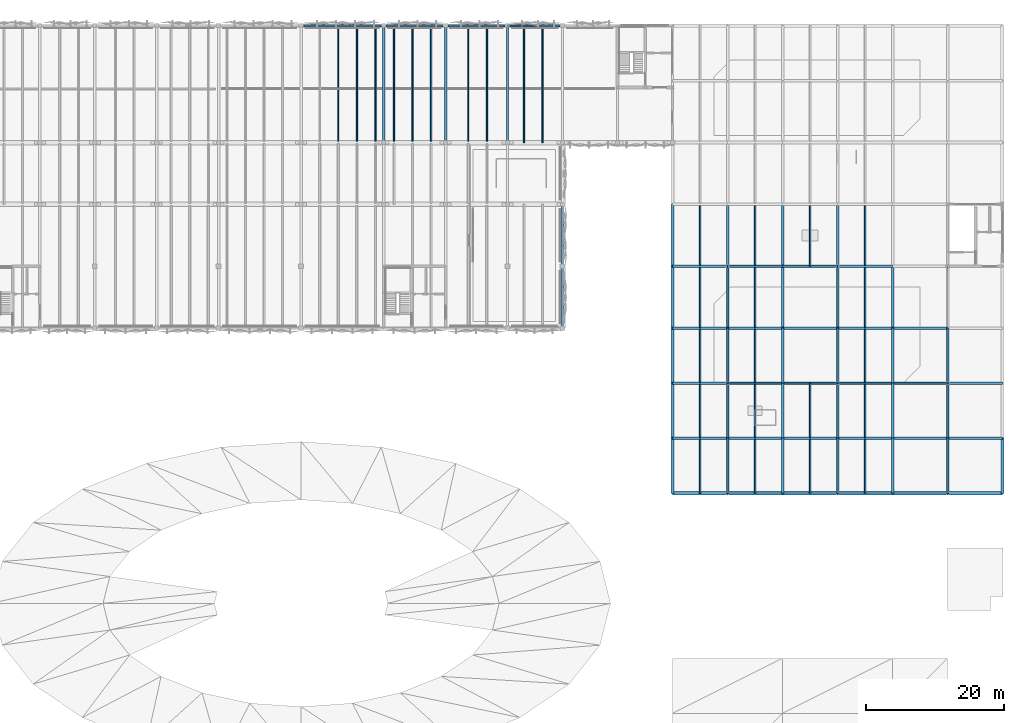
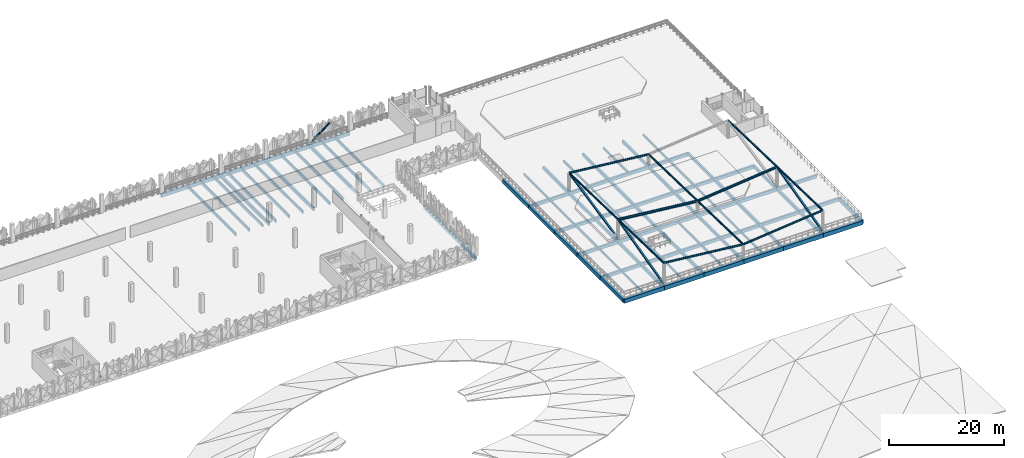
# One storey, part 14 of 52: 102 beams, 6 members.
"""IFC4 building model written with IfcOpenShell, lengths in metres."""

import ifcopenshell
import ifcopenshell.guid

model = None  # the IFC model being written
_history = None  # IfcOwnerHistory: only IFC2X3 demands one
_inside = {}  # id of a spatial element -> (the spatial element, [elements in it])
_under = {}  # id of a project, library or spatial element -> (it, [spatial elements below it])
_declared = {}  # id of a project -> (the project, [libraries it declares])
_typed = {}  # id of a type object -> (the type object, [elements of that type])
_made_of = {}  # id of a material, layer set ... -> (it, [elements and type objects made of it])


def new_model(schema):
    """Start an empty IFC model of exactly this schema.

    Asked for "IFC4X3", IfcOpenShell would pick the latest addendum, in which some entities
    have other attributes; the version numbers below select the first issue.
    IFC2X3 requires an IfcOwnerHistory on every rooted entity: one is made here for all.
    """
    global model, _history
    if schema == "IFC4X3":
        model = ifcopenshell.file(schema_version=(4, 3, 0, 0))
    else:
        model = ifcopenshell.file(schema=schema)
    _inside.clear()
    _under.clear()
    _declared.clear()
    _typed.clear()
    _made_of.clear()
    _history = None
    if model.schema == "IFC2X3":
        org = make("IfcOrganization", Name="unknown")
        user = make(
            "IfcPersonAndOrganization",
            ThePerson=make("IfcPerson", FamilyName="unknown"),
            TheOrganization=org,
        )
        app = make(
            "IfcApplication",
            ApplicationDeveloper=org,
            Version="unknown",
            ApplicationFullName="unknown",
            ApplicationIdentifier="unknown",
        )
        _history = make(
            "IfcOwnerHistory",
            OwningUser=user,
            OwningApplication=app,
            ChangeAction="ADDED",
            CreationDate=0,
        )
    return model


def make(cls, **values):
    """One entity of the class cls with the attributes given. An attribute that is None is left unset."""
    return model.create_entity(
        cls, **{name: value for name, value in values.items() if value is not None}
    )


def rooted(cls, **values):
    """An entity with a GlobalId (a new one), such as an element, a storey or a relation."""
    return make(cls, GlobalId=ifcopenshell.guid.new(), OwnerHistory=_history, **values)


def si_unit(unit_type, name, prefix=None):
    """IfcSIUnit, for example si_unit("LENGTHUNIT", "METRE", prefix="MILLI")."""
    return make("IfcSIUnit", UnitType=unit_type, Prefix=prefix, Name=name)


def derived_unit(unit_type, elements):
    """IfcDerivedUnit: a product of units, each with its exponent."""
    return make(
        "IfcDerivedUnit",
        Elements=[
            make("IfcDerivedUnitElement", Unit=unit, Exponent=power)
            for unit, power in elements
        ],
        UnitType=unit_type,
    )


def assignment(units):
    """IfcUnitAssignment: the units of a project."""
    return None if units is None else make("IfcUnitAssignment", Units=units)


def point(xyz):
    """IfcCartesianPoint."""
    return None if xyz is None else make("IfcCartesianPoint", Coordinates=xyz)


def direction(xyz):
    """IfcDirection."""
    return None if xyz is None else make("IfcDirection", DirectionRatios=xyz)


def frame(location, z_axis=None, x_axis=None):
    """IfcAxis2Placement3D, a coordinate frame: its origin and axes. An axis left out is left unset."""
    return make(
        "IfcAxis2Placement3D",
        Location=point(location),
        Axis=direction(z_axis),
        RefDirection=direction(x_axis),
    )


def frame_2d(location, x_axis=None):
    """IfcAxis2Placement2D, a coordinate frame in the plane: its origin and x axis."""
    return make(
        "IfcAxis2Placement2D", Location=point(location), RefDirection=direction(x_axis)
    )


def origin():
    """The frame at (0, 0, 0) with its axes left unset."""
    return frame((0.0, 0.0, 0.0))


def origin_2d():
    """The frame at (0, 0) in the plane with its x axis left unset."""
    return frame_2d((0.0, 0.0))


def place(relative_to, where):
    """IfcLocalPlacement: puts the frame where relative to a parent placement (None: the world)."""
    return make(
        "IfcLocalPlacement", PlacementRelTo=relative_to, RelativePlacement=where
    )


def context(
    kind, dimensions, precision=None, world=None, true_north=None, identifier=None
):
    """IfcGeometricRepresentationContext, for example the 3D "Model" context."""
    return make(
        "IfcGeometricRepresentationContext",
        ContextIdentifier=identifier,
        ContextType=kind,
        CoordinateSpaceDimension=dimensions,
        Precision=precision,
        WorldCoordinateSystem=world,
        TrueNorth=true_north,
    )


def subcontext(parent, identifier, kind, view, scale=None):
    """IfcGeometricRepresentationSubContext, for example "Body" below "Model"."""
    return make(
        "IfcGeometricRepresentationSubContext",
        ContextIdentifier=identifier,
        ContextType=kind,
        ParentContext=parent,
        TargetScale=scale,
        TargetView=view,
    )


def project(units=None, contexts=None):
    """IfcProject with its units and contexts."""
    return rooted(
        "IfcProject",
        Name="project",
        RepresentationContexts=contexts,
        UnitsInContext=assignment(units),
    )


def spatial(cls, under=None, at=None, **own):
    """A site, building, storey or space (cls), placed at a placement, below another one or the project."""
    s = rooted(cls, ObjectPlacement=at, **own)
    if under is not None:
        _under.setdefault(under.id(), (under, []))[1].append(s)
    return s


def profile(cls, at=None, kind="AREA", **sizes):
    """A parametric profile (cls). Its sizes go by their IFC names, for example OverallWidth=200.0."""
    return make(cls, ProfileType=kind, Position=at, **sizes)


def rectangle(**sizes):
    """IfcRectangleProfileDef."""
    return profile("IfcRectangleProfileDef", **sizes)


def hollow_rectangle(**sizes):
    """IfcRectangleHollowProfileDef."""
    return profile("IfcRectangleHollowProfileDef", **sizes)


def hollow_circle(**sizes):
    """IfcCircleHollowProfileDef."""
    return profile("IfcCircleHollowProfileDef", **sizes)


def i_section(**sizes):
    """IfcIShapeProfileDef."""
    return profile("IfcIShapeProfileDef", **sizes)


def extrude(swept, where, along, depth):
    """IfcExtrudedAreaSolid: the profile swept, set in the frame where, extruded along a direction by depth."""
    return make(
        "IfcExtrudedAreaSolid",
        SweptArea=swept,
        Position=where,
        ExtrudedDirection=direction(along),
        Depth=depth,
    )


def shape(context_of_items, identifier, shape_type, items):
    """IfcShapeRepresentation: the items that make up one representation, for example the "Body"."""
    return make(
        "IfcShapeRepresentation",
        ContextOfItems=context_of_items,
        RepresentationIdentifier=identifier,
        RepresentationType=shape_type,
        Items=items,
    )


def material(Name=None, Category=None):
    """IfcMaterial."""
    return make("IfcMaterial", Name=Name, Category=Category)


def material_profile(
    of_material, cross_section, Name=None, Category=None, Priority=None
):
    """IfcMaterialProfile: a cross section and its material."""
    return make(
        "IfcMaterialProfile",
        Name=Name,
        Material=of_material,
        Profile=cross_section,
        Priority=Priority,
        Category=Category,
    )


def profile_set(profiles, Name=None, composite=None):
    """IfcMaterialProfileSet."""
    return make(
        "IfcMaterialProfileSet",
        Name=Name,
        MaterialProfiles=profiles,
        CompositeProfile=composite,
    )


def made_of(thing, what):
    """Note that an element or type object is made of a material, layer set ...; save() writes the relation."""
    if what is not None:
        _made_of.setdefault(what.id(), (what, []))[1].append(thing)
    return thing


def type_object(cls, material=None, **own):
    """A type object (cls), such as IfcWallType, which elements share."""
    return made_of(rooted(cls, **own), material)


def element(
    cls,
    number,
    at=None,
    inside=None,
    cuts=None,
    type_object=None,
    material=None,
    context=None,
    identifier="Body",
    shape_type=None,
    held_by="IfcProductDefinitionShape",
    body=None,
    shapes=None,
    **own,
):
    """One element of the class cls, such as IfcWall. Its Tag is "e" and its number.

    at: its placement. inside: the storey or other place that contains it. cuts: it is an
    opening in that element (IfcRelVoidsElement). A single representation is given by context,
    identifier, shape_type and body (its items); several are given by shapes. held_by: the class
    of the entity that holds the representations. save() writes the other relations.
    """
    e = rooted(cls, Tag="e%d" % number, ObjectPlacement=at, **own)
    if body is not None:
        shapes = [shape(context, identifier, shape_type, body)]
    if shapes is not None:
        e.Representation = make(held_by, Representations=shapes)
    if inside is not None:
        _inside.setdefault(inside.id(), (inside, []))[1].append(e)
    if cuts is not None:
        rooted(
            "IfcRelVoidsElement", RelatingBuildingElement=cuts, RelatedOpeningElement=e
        )
    if type_object is not None:
        _typed.setdefault(type_object.id(), (type_object, []))[1].append(e)
    return made_of(e, material)


def aggregate(whole, parts):
    """IfcRelAggregates: a whole, such as a stair, and the parts it consists of."""
    return rooted("IfcRelAggregates", RelatingObject=whole, RelatedObjects=parts)


def save(model, path):
    """Write the relations noted so far, then the file.

    IfcRelAggregates (storeys below a building ...), IfcRelContainedInSpatialStructure (elements
    in a storey), IfcRelDefinesByType, IfcRelAssociatesMaterial and IfcRelDeclares: one each for
    every whole, place, type object, material and project.
    """
    for whole, parts in _under.values():
        aggregate(whole, parts)
    for where, things in _inside.values():
        rooted(
            "IfcRelContainedInSpatialStructure",
            RelatedElements=things,
            RelatingStructure=where,
        )
    for kind, things in _typed.values():
        rooted("IfcRelDefinesByType", RelatedObjects=things, RelatingType=kind)
    for what, things in _made_of.values():
        rooted("IfcRelAssociatesMaterial", RelatedObjects=things, RelatingMaterial=what)
    for by, libraries in _declared.values():
        rooted("IfcRelDeclares", RelatingContext=by, RelatedDefinitions=libraries)
    model.write(path)


model = new_model("IFC4")

# Units and contexts
model_context = context("Model", 3, precision=1e-05, world=origin(), true_north=direction((0.0, 1.0)))
body_context = subcontext(model_context, "Body", "Model", "MODEL_VIEW")
ifc_project = project(units=[si_unit("LENGTHUNIT", "METRE"), si_unit("AREAUNIT", "SQUARE_METRE"), si_unit("VOLUMEUNIT", "CUBIC_METRE"), si_unit("PLANEANGLEUNIT", "RADIAN"), si_unit("MASSUNIT", "GRAM", prefix="KILO"), si_unit("THERMODYNAMICTEMPERATUREUNIT", "KELVIN"), derived_unit("THERMALTRANSMITTANCEUNIT", [(si_unit("POWERUNIT", "WATT"), 1), (si_unit("AREAUNIT", "SQUARE_METRE"), -1), (si_unit("THERMODYNAMICTEMPERATUREUNIT", "KELVIN"), -1)])], contexts=[model_context])

# Site, building, storey
site_placement = place(None, origin())
site = spatial("IfcSite", under=ifc_project, at=site_placement, CompositionType="ELEMENT")
building_placement = place(site_placement, origin())
building = spatial("IfcBuilding", under=site, at=building_placement, Name="Haiyu Intermodal Mobility Hub", CompositionType="ELEMENT")
storey_placement = place(building_placement, frame((0.0, 0.0, 21.199951171875)))
storey = spatial("IfcBuildingStorey", under=building, at=storey_placement, Name="L05", CompositionType="ELEMENT", Elevation=21.199951171875)

# Beams
ifc_material_1 = material(Name="Concrete C40", Category="concrete")
ifc_material_profile_1 = material_profile(ifc_material_1, rectangle(XDim=0.35009765625, YDim=0.64990234375, at=origin_2d()), Name="RCB350x650")
ifc_profile_set_1 = profile_set([ifc_material_profile_1], Name="Concrete C40")
beam_type_1 = type_object("IfcBeamType", Name="BM-CB04", PredefinedType="BEAM", material=ifc_profile_set_1)
for number, where, z_axis, x_axis, name in (
    (1, (120.0, 131.0, -0.599853515625), (0.0, 1.0, 0.0), (-1.0, 0.0, 0.0), "BM-V4E-L05-032"),
    (2, (129.0, 131.0, -0.599853515625), (0.0, 1.0, 0.0), (-1.0, 0.0, 0.0), "BM-V4E-L05-035"),
    (3, (138.0, 131.0, -0.599853515625), (0.0, 1.0, 0.0), (-1.0, 0.0, 0.0), "BM-V4E-L05-038"),
):
    element("IfcBeam", number, at=place(storey_placement, frame(where, z_axis=z_axis, x_axis=x_axis)), inside=storey, type_object=beam_type_1, Name=name, PredefinedType="BEAM", context=body_context, shape_type="SweptSolid", body=[
        extrude(rectangle(XDim=0.35009765625, YDim=0.64990234375, at=origin_2d()), origin(), (0.0, 0.0, 1.0), 17.0),
    ])
beam_1_placement = place(storey_placement, frame((146.0, 104.0, -0.599853515625), z_axis=(0.0, 1.0, 0.0), x_axis=(-1.0, 0.0, 0.0)))
element("IfcBeam", 4, at=beam_1_placement, inside=storey, type_object=beam_type_1, Name="BM-V4E-L05-039", PredefinedType="BEAM", context=body_context, shape_type="SweptSolid", body=[
    extrude(rectangle(XDim=0.35009765625, YDim=0.64990234375, at=origin_2d()), origin(), (0.0, 0.0, 1.0), 18.0),
])
ifc_material_profile_2 = material_profile(ifc_material_1, rectangle(XDim=0.39990234375, YDim=0.800048828125, at=origin_2d()), Name="RCB400x800")
ifc_profile_set_2 = profile_set([ifc_material_profile_2], Name="Concrete C40")
beam_type_2 = type_object("IfcBeamType", Name="BM-CB05", PredefinedType="BEAM", material=ifc_profile_set_2)
for number, where, z_axis, x_axis, name in (
    (5, (162.0, 80.0, -0.699951171875), (0.0, 1.0, 0.0), (-1.0, 0.0, 0.0), "BM-V6T-L05-001"),
    (6, (162.0, 88.0, -0.699951171875), (0.0, 1.0, 0.0), (-1.0, 0.0, 0.0), "BM-V6T-L05-002"),
    (7, (162.0, 96.0, -0.699951171875), (0.0, 1.0, 0.0), (-1.0, 0.0, 0.0), "BM-V6T-L05-003"),
):
    element("IfcBeam", number, at=place(storey_placement, frame(where, z_axis=z_axis, x_axis=x_axis)), inside=storey, type_object=beam_type_2, Name=name, PredefinedType="BEAM", context=body_context, shape_type="SweptSolid", body=[
        extrude(rectangle(XDim=0.39990234375, YDim=0.800048828125, at=origin_2d()), origin(), (0.0, 0.0, 1.0), 8.0),
    ])
for number, where, z_axis, x_axis, name in (
    (8, (162.0, 104.0, -0.699951171875), (0.0, 1.0, 0.0), (-1.0, 0.0, 0.0), "BM-V6T-L05-004"),
    (9, (162.0, 113.0, -0.699951171875), (0.0, 1.0, 0.0), (-1.0, 0.0, 0.0), "BM-V6T-L05-005"),
):
    element("IfcBeam", number, at=place(storey_placement, frame(where, z_axis=z_axis, x_axis=x_axis)), inside=storey, type_object=beam_type_2, Name=name, PredefinedType="BEAM", context=body_context, shape_type="SweptSolid", body=[
        extrude(rectangle(XDim=0.39990234375, YDim=0.800048828125, at=origin_2d()), origin(), (0.0, 0.0, 1.0), 9.0),
    ])
beam_2_placement = place(storey_placement, frame((210.0, 80.0, -0.699951171875), z_axis=(0.0, 1.0, 0.0), x_axis=(-1.0, 0.0, 0.0)))
element("IfcBeam", 10, at=beam_2_placement, inside=storey, type_object=beam_type_2, Name="BM-V6T-L05-049", PredefinedType="BEAM", context=body_context, shape_type="SweptSolid", body=[
    extrude(rectangle(XDim=0.39990234375, YDim=0.800048828125, at=origin_2d()), origin(), (0.0, 0.0, 1.0), 8.0),
])
ifc_material_profile_3 = material_profile(ifc_material_1, rectangle(XDim=0.3798828125, YDim=0.679931640625, at=origin_2d()), Name="B380x680")
ifc_profile_set_3 = profile_set([ifc_material_profile_3], Name="Concrete C40")
beam_type_3 = type_object("IfcBeamType", Name="BM-CB15", PredefinedType="BEAM", material=ifc_profile_set_3)
for number, where, z_axis, x_axis, name in (
    (11, (162.0, 88.0, -0.639892578125), (1.0, 0.0, 0.0), (0.0, 1.0, 0.0), "BM-V6G-L05-007"),
    (12, (170.0, 88.0, -0.639892578125), (1.0, 0.0, 0.0), (0.0, 1.0, 0.0), "BM-V6G-L05-008"),
    (13, (178.0, 88.0, -0.639892578125), (1.0, 0.0, 0.0), (0.0, 1.0, 0.0), "BM-V6G-L05-009"),
    (14, (186.0, 88.0, -0.639892578125), (1.0, 0.0, 0.0), (0.0, 1.0, 0.0), "BM-V6G-L05-010"),
    (15, (194.0, 88.0, -0.639892578125), (1.0, 0.0, 0.0), (0.0, 1.0, 0.0), "BM-V6G-L05-011"),
    (16, (202.0, 88.0, -0.639892578125), (1.0, 0.0, 0.0), (0.0, 1.0, 0.0), "BM-V6G-L05-012"),
    (17, (162.0, 96.0, -0.639892578125), (1.0, 0.0, 0.0), (0.0, 1.0, 0.0), "BM-V6G-L05-013"),
    (18, (170.0, 96.0, -0.639892578125), (1.0, 0.0, 0.0), (0.0, 1.0, 0.0), "BM-V6G-L05-014"),
    (19, (178.0, 96.0, -0.639892578125), (1.0, 0.0, 0.0), (0.0, 1.0, 0.0), "BM-V6G-L05-015"),
    (20, (186.0, 96.0, -0.639892578125), (1.0, 0.0, 0.0), (0.0, 1.0, 0.0), "BM-V6G-L05-016"),
    (21, (194.0, 96.0, -0.639892578125), (1.0, 0.0, 0.0), (0.0, 1.0, 0.0), "BM-V6G-L05-017"),
    (22, (202.0, 96.0, -0.639892578125), (1.0, 0.0, 0.0), (0.0, 1.0, 0.0), "BM-V6G-L05-018"),
    (23, (162.0, 104.0, -0.639892578125), (1.0, 0.0, 0.0), (0.0, 1.0, 0.0), "BM-V6G-L05-019"),
    (24, (170.0, 104.0, -0.639892578125), (1.0, 0.0, 0.0), (0.0, 1.0, 0.0), "BM-V6G-L05-020"),
    (25, (178.0, 104.0, -0.639892578125), (1.0, 0.0, 0.0), (0.0, 1.0, 0.0), "BM-V6G-L05-021"),
    (26, (186.0, 104.0, -0.639892578125), (1.0, 0.0, 0.0), (0.0, 1.0, 0.0), "BM-V6G-L05-022"),
    (27, (194.0, 104.0, -0.639892578125), (1.0, 0.0, 0.0), (0.0, 1.0, 0.0), "BM-V6G-L05-023"),
    (28, (162.0, 113.0, -0.639892578125), (1.0, 0.0, 0.0), (0.0, 1.0, 0.0), "BM-V6G-L05-025"),
    (29, (170.0, 113.0, -0.639892578125), (1.0, 0.0, 0.0), (0.0, 1.0, 0.0), "BM-V6G-L05-026"),
    (30, (178.0, 113.0, -0.639892578125), (1.0, 0.0, 0.0), (0.0, 1.0, 0.0), "BM-V6G-L05-027"),
    (31, (186.0, 113.0, -0.639892578125), (1.0, 0.0, 0.0), (0.0, 1.0, 0.0), "BM-V6G-L05-028"),
):
    element("IfcBeam", number, at=place(storey_placement, frame(where, z_axis=z_axis, x_axis=x_axis)), inside=storey, type_object=beam_type_3, Name=name, PredefinedType="BEAM", context=body_context, shape_type="SweptSolid", body=[
        extrude(rectangle(XDim=0.3798828125, YDim=0.679931640625, at=origin_2d()), origin(), (0.0, 0.0, 1.0), 8.0),
    ])
ifc_material_profile_4 = material_profile(ifc_material_1, rectangle(XDim=0.360107421875, YDim=0.6201171875, at=origin_2d()), Name="B360x620")
ifc_profile_set_4 = profile_set([ifc_material_profile_4], Name="Concrete C40")
beam_type_4 = type_object("IfcBeamType", Name="BM-CB16", PredefinedType="BEAM", material=ifc_profile_set_4)
for number, where, z_axis, x_axis, name in (
    (32, (170.0, 80.0, -0.60986328125), (0.0, 1.0, 0.0), (-1.0, 0.0, 0.0), "BM-V6T-L05-009"),
    (33, (170.0, 88.0, -0.60986328125), (0.0, 1.0, 0.0), (-1.0, 0.0, 0.0), "BM-V6T-L05-010"),
    (34, (170.0, 96.0, -0.60986328125), (0.0, 1.0, 0.0), (-1.0, 0.0, 0.0), "BM-V6T-L05-011"),
):
    element("IfcBeam", number, at=place(storey_placement, frame(where, z_axis=z_axis, x_axis=x_axis)), inside=storey, type_object=beam_type_4, Name=name, PredefinedType="BEAM", context=body_context, shape_type="SweptSolid", body=[
        extrude(rectangle(XDim=0.360107421875, YDim=0.6201171875, at=origin_2d()), origin(), (0.0, 0.0, 1.0), 8.0),
    ])
for number, where, z_axis, x_axis, name in (
    (35, (170.0, 104.0, -0.60986328125), (0.0, 1.0, 0.0), (-1.0, 0.0, 0.0), "BM-V6T-L05-012"),
    (36, (170.0, 113.0, -0.60986328125), (0.0, 1.0, 0.0), (-1.0, 0.0, 0.0), "BM-V6T-L05-013"),
):
    element("IfcBeam", number, at=place(storey_placement, frame(where, z_axis=z_axis, x_axis=x_axis)), inside=storey, type_object=beam_type_4, Name=name, PredefinedType="BEAM", context=body_context, shape_type="SweptSolid", body=[
        extrude(rectangle(XDim=0.360107421875, YDim=0.6201171875, at=origin_2d()), origin(), (0.0, 0.0, 1.0), 9.0),
    ])
for number, where, z_axis, x_axis, name in (
    (37, (178.0, 80.0, -0.60986328125), (0.0, 1.0, 0.0), (-1.0, 0.0, 0.0), "BM-V6T-L05-017"),
    (38, (178.0, 88.0, -0.60986328125), (0.0, 1.0, 0.0), (-1.0, 0.0, 0.0), "BM-V6T-L05-018"),
    (39, (178.0, 96.0, -0.60986328125), (0.0, 1.0, 0.0), (-1.0, 0.0, 0.0), "BM-V6T-L05-019"),
):
    element("IfcBeam", number, at=place(storey_placement, frame(where, z_axis=z_axis, x_axis=x_axis)), inside=storey, type_object=beam_type_4, Name=name, PredefinedType="BEAM", context=body_context, shape_type="SweptSolid", body=[
        extrude(rectangle(XDim=0.360107421875, YDim=0.6201171875, at=origin_2d()), origin(), (0.0, 0.0, 1.0), 8.0),
    ])
for number, where, z_axis, x_axis, name in (
    (40, (178.0, 104.0, -0.60986328125), (0.0, 1.0, 0.0), (-1.0, 0.0, 0.0), "BM-V6T-L05-020"),
    (41, (178.0, 113.0, -0.60986328125), (0.0, 1.0, 0.0), (-1.0, 0.0, 0.0), "BM-V6T-L05-021"),
):
    element("IfcBeam", number, at=place(storey_placement, frame(where, z_axis=z_axis, x_axis=x_axis)), inside=storey, type_object=beam_type_4, Name=name, PredefinedType="BEAM", context=body_context, shape_type="SweptSolid", body=[
        extrude(rectangle(XDim=0.360107421875, YDim=0.6201171875, at=origin_2d()), origin(), (0.0, 0.0, 1.0), 9.0),
    ])
for number, where, z_axis, x_axis, name in (
    (42, (186.0, 80.0, -0.60986328125), (0.0, 1.0, 0.0), (-1.0, 0.0, 0.0), "BM-V6T-L05-025"),
    (43, (186.0, 88.0, -0.60986328125), (0.0, 1.0, 0.0), (-1.0, 0.0, 0.0), "BM-V6T-L05-026"),
    (44, (186.0, 96.0, -0.60986328125), (0.0, 1.0, 0.0), (-1.0, 0.0, 0.0), "BM-V6T-L05-027"),
):
    element("IfcBeam", number, at=place(storey_placement, frame(where, z_axis=z_axis, x_axis=x_axis)), inside=storey, type_object=beam_type_4, Name=name, PredefinedType="BEAM", context=body_context, shape_type="SweptSolid", body=[
        extrude(rectangle(XDim=0.360107421875, YDim=0.6201171875, at=origin_2d()), origin(), (0.0, 0.0, 1.0), 8.0),
    ])
for number, where, z_axis, x_axis, name in (
    (45, (186.0, 104.0, -0.60986328125), (0.0, 1.0, 0.0), (-1.0, 0.0, 0.0), "BM-V6T-L05-028"),
    (46, (186.0, 113.0, -0.60986328125), (0.0, 1.0, 0.0), (-1.0, 0.0, 0.0), "BM-V6T-L05-029"),
):
    element("IfcBeam", number, at=place(storey_placement, frame(where, z_axis=z_axis, x_axis=x_axis)), inside=storey, type_object=beam_type_4, Name=name, PredefinedType="BEAM", context=body_context, shape_type="SweptSolid", body=[
        extrude(rectangle(XDim=0.360107421875, YDim=0.6201171875, at=origin_2d()), origin(), (0.0, 0.0, 1.0), 9.0),
    ])
for number, where, z_axis, x_axis, name in (
    (47, (194.0, 80.0, -0.60986328125), (0.0, 1.0, 0.0), (-1.0, 0.0, 0.0), "BM-V6T-L05-033"),
    (48, (194.0, 88.0, -0.60986328125), (0.0, 1.0, 0.0), (-1.0, 0.0, 0.0), "BM-V6T-L05-034"),
    (49, (194.0, 96.0, -0.60986328125), (0.0, 1.0, 0.0), (-1.0, 0.0, 0.0), "BM-V6T-L05-035"),
):
    element("IfcBeam", number, at=place(storey_placement, frame(where, z_axis=z_axis, x_axis=x_axis)), inside=storey, type_object=beam_type_4, Name=name, PredefinedType="BEAM", context=body_context, shape_type="SweptSolid", body=[
        extrude(rectangle(XDim=0.360107421875, YDim=0.6201171875, at=origin_2d()), origin(), (0.0, 0.0, 1.0), 8.0),
    ])
beam_3_placement = place(storey_placement, frame((194.0, 104.0, -0.60986328125), z_axis=(0.0, 1.0, 0.0), x_axis=(-1.0, 0.0, 0.0)))
element("IfcBeam", 50, at=beam_3_placement, inside=storey, type_object=beam_type_4, Name="BM-V6T-L05-036", PredefinedType="BEAM", context=body_context, shape_type="SweptSolid", body=[
    extrude(rectangle(XDim=0.360107421875, YDim=0.6201171875, at=origin_2d()), origin(), (0.0, 0.0, 1.0), 9.0),
])
for number, where, z_axis, x_axis, name in (
    (51, (202.0, 80.0, -0.60986328125), (0.0, 1.0, 0.0), (-1.0, 0.0, 0.0), "BM-V6T-L05-041"),
    (52, (202.0, 88.0, -0.60986328125), (0.0, 1.0, 0.0), (-1.0, 0.0, 0.0), "BM-V6T-L05-042"),
    (53, (202.0, 96.0, -0.60986328125), (0.0, 1.0, 0.0), (-1.0, 0.0, 0.0), "BM-V6T-L05-043"),
):
    element("IfcBeam", number, at=place(storey_placement, frame(where, z_axis=z_axis, x_axis=x_axis)), inside=storey, type_object=beam_type_4, Name=name, PredefinedType="BEAM", context=body_context, shape_type="SweptSolid", body=[
        extrude(rectangle(XDim=0.360107421875, YDim=0.6201171875, at=origin_2d()), origin(), (0.0, 0.0, 1.0), 8.0),
    ])
ifc_material_profile_5 = material_profile(ifc_material_1, rectangle(XDim=0.239990234375, YDim=0.43994140625, at=origin_2d()), Name="B240x440")
ifc_profile_set_5 = profile_set([ifc_material_profile_5], Name="Concrete C40")
beam_type_5 = type_object("IfcBeamType", Name="BM-CB19", PredefinedType="JOIST", material=ifc_profile_set_5)
beam_4_placement = place(storey_placement, frame((166.0, 80.0, -0.52001953125), z_axis=(0.0, 1.0, 0.0), x_axis=(-1.0, 0.0, 0.0)))
element("IfcBeam", 54, at=beam_4_placement, inside=storey, type_object=beam_type_5, Name="BM-V6J-L05-001", PredefinedType="JOIST", context=body_context, shape_type="SweptSolid", body=[
    extrude(rectangle(XDim=0.239990234375, YDim=0.43994140625, at=origin_2d()), origin(), (0.0, 0.0, 1.0), 7.824951171875),
])
for number, where, z_axis, x_axis, name in (
    (55, (166.0, 88.175048828125, -0.52001953125), (0.0, 1.0, 0.0), (-1.0, 0.0, 0.0), "BM-V6J-L05-002"),
    (56, (166.0, 96.175048828125, -0.52001953125), (0.0, 1.0, 0.0), (-1.0, 0.0, 0.0), "BM-V6J-L05-003"),
):
    element("IfcBeam", number, at=place(storey_placement, frame(where, z_axis=z_axis, x_axis=x_axis)), inside=storey, type_object=beam_type_5, Name=name, PredefinedType="JOIST", context=body_context, shape_type="SweptSolid", body=[
        extrude(rectangle(XDim=0.239990234375, YDim=0.43994140625, at=origin_2d()), origin(), (0.0, 0.0, 1.0), 7.64990234375),
    ])
for number, where, z_axis, x_axis, name in (
    (57, (166.0, 104.175048828125, -0.52001953125), (0.0, 1.0, 0.0), (-1.0, 0.0, 0.0), "BM-V6J-L05-004"),
    (58, (166.0, 113.175048828125, -0.52001953125), (0.0, 1.0, 0.0), (-1.0, 0.0, 0.0), "BM-V6J-L05-005"),
):
    element("IfcBeam", number, at=place(storey_placement, frame(where, z_axis=z_axis, x_axis=x_axis)), inside=storey, type_object=beam_type_5, Name=name, PredefinedType="JOIST", context=body_context, shape_type="SweptSolid", body=[
        extrude(rectangle(XDim=0.239990234375, YDim=0.43994140625, at=origin_2d()), origin(), (0.0, 0.0, 1.0), 8.64990234375),
    ])
beam_5_placement = place(storey_placement, frame((174.0, 80.0, -0.52001953125), z_axis=(0.0, 1.0, 0.0), x_axis=(-1.0, 0.0, 0.0)))
element("IfcBeam", 59, at=beam_5_placement, inside=storey, type_object=beam_type_5, Name="BM-V6J-L05-009", PredefinedType="JOIST", context=body_context, shape_type="SweptSolid", body=[
    extrude(rectangle(XDim=0.239990234375, YDim=0.43994140625, at=origin_2d()), origin(), (0.0, 0.0, 1.0), 7.824951171875),
])
for number, where, z_axis, x_axis, name in (
    (60, (174.0, 88.175048828125, -0.52001953125), (0.0, 1.0, 0.0), (-1.0, 0.0, 0.0), "BM-V6J-L05-010"),
    (61, (174.0, 96.175048828125, -0.52001953125), (0.0, 1.0, 0.0), (-1.0, 0.0, 0.0), "BM-V6J-L05-011"),
):
    element("IfcBeam", number, at=place(storey_placement, frame(where, z_axis=z_axis, x_axis=x_axis)), inside=storey, type_object=beam_type_5, Name=name, PredefinedType="JOIST", context=body_context, shape_type="SweptSolid", body=[
        extrude(rectangle(XDim=0.239990234375, YDim=0.43994140625, at=origin_2d()), origin(), (0.0, 0.0, 1.0), 7.64990234375),
    ])
for number, where, z_axis, x_axis, name in (
    (62, (174.0, 104.175048828125, -0.52001953125), (0.0, 1.0, 0.0), (-1.0, 0.0, 0.0), "BM-V6J-L05-012"),
    (63, (174.0, 113.175048828125, -0.52001953125), (0.0, 1.0, 0.0), (-1.0, 0.0, 0.0), "BM-V6J-L05-013"),
):
    element("IfcBeam", number, at=place(storey_placement, frame(where, z_axis=z_axis, x_axis=x_axis)), inside=storey, type_object=beam_type_5, Name=name, PredefinedType="JOIST", context=body_context, shape_type="SweptSolid", body=[
        extrude(rectangle(XDim=0.239990234375, YDim=0.43994140625, at=origin_2d()), origin(), (0.0, 0.0, 1.0), 8.64990234375),
    ])
for number, where, z_axis, x_axis, name in (
    (64, (182.0, 80.0, -0.52001953125), (0.0, 1.0, 0.0), (-1.0, 0.0, 0.0), "BM-V6J-L05-017"),
    (65, (182.0, 88.175048828125, -0.52001953125), (0.0, 1.0, 0.0), (-1.0, 0.0, 0.0), "BM-V6J-L05-018"),
):
    element("IfcBeam", number, at=place(storey_placement, frame(where, z_axis=z_axis, x_axis=x_axis)), inside=storey, type_object=beam_type_5, Name=name, PredefinedType="JOIST", context=body_context, shape_type="SweptSolid", body=[
        extrude(rectangle(XDim=0.239990234375, YDim=0.43994140625, at=origin_2d()), origin(), (0.0, 0.0, 1.0), 7.824951171875),
    ])
beam_6_placement = place(storey_placement, frame((182.0, 113.0, -0.52001953125), z_axis=(0.0, 1.0, 0.0), x_axis=(-1.0, 0.0, 0.0)))
element("IfcBeam", 66, at=beam_6_placement, inside=storey, type_object=beam_type_5, Name="BM-V6J-L05-019", PredefinedType="JOIST", context=body_context, shape_type="SweptSolid", body=[
    extrude(rectangle(XDim=0.239990234375, YDim=0.43994140625, at=origin_2d()), origin(), (0.0, 0.0, 1.0), 8.824951171875),
])
beam_7_placement = place(storey_placement, frame((190.0, 80.0, -0.52001953125), z_axis=(0.0, 1.0, 0.0), x_axis=(-1.0, 0.0, 0.0)))
element("IfcBeam", 67, at=beam_7_placement, inside=storey, type_object=beam_type_5, Name="BM-V6J-L05-023", PredefinedType="JOIST", context=body_context, shape_type="SweptSolid", body=[
    extrude(rectangle(XDim=0.239990234375, YDim=0.43994140625, at=origin_2d()), origin(), (0.0, 0.0, 1.0), 7.824951171875),
])
for number, where, z_axis, x_axis, name in (
    (68, (190.0, 88.175048828125, -0.52001953125), (0.0, 1.0, 0.0), (-1.0, 0.0, 0.0), "BM-V6J-L05-024"),
    (69, (190.0, 96.175048828125, -0.52001953125), (0.0, 1.0, 0.0), (-1.0, 0.0, 0.0), "BM-V6J-L05-025"),
):
    element("IfcBeam", number, at=place(storey_placement, frame(where, z_axis=z_axis, x_axis=x_axis)), inside=storey, type_object=beam_type_5, Name=name, PredefinedType="JOIST", context=body_context, shape_type="SweptSolid", body=[
        extrude(rectangle(XDim=0.239990234375, YDim=0.43994140625, at=origin_2d()), origin(), (0.0, 0.0, 1.0), 7.64990234375),
    ])
for number, where, z_axis, x_axis, name in (
    (70, (190.0, 104.175048828125, -0.52001953125), (0.0, 1.0, 0.0), (-1.0, 0.0, 0.0), "BM-V6J-L05-026"),
    (71, (190.0, 113.175048828125, -0.52001953125), (0.0, 1.0, 0.0), (-1.0, 0.0, 0.0), "BM-V6J-L05-027"),
):
    element("IfcBeam", number, at=place(storey_placement, frame(where, z_axis=z_axis, x_axis=x_axis)), inside=storey, type_object=beam_type_5, Name=name, PredefinedType="JOIST", context=body_context, shape_type="SweptSolid", body=[
        extrude(rectangle(XDim=0.239990234375, YDim=0.43994140625, at=origin_2d()), origin(), (0.0, 0.0, 1.0), 8.64990234375),
    ])
ifc_material_profile_6 = material_profile(ifc_material_1, rectangle(XDim=0.43994140625, YDim=0.860107421875, at=origin_2d()), Name="B440x860")
ifc_profile_set_6 = profile_set([ifc_material_profile_6], Name="Concrete C40")
beam_type_6 = type_object("IfcBeamType", Name="BM-CB20", PredefinedType="BEAM", material=ifc_profile_set_6)
for number, where, z_axis, x_axis, name in (
    (72, (162.0, 80.0, -0.72998046875), (1.0, 0.0, 0.0), (0.0, 1.0, 0.0), "BM-V6G-L05-001"),
    (73, (170.0, 80.0, -0.72998046875), (1.0, 0.0, 0.0), (0.0, 1.0, 0.0), "BM-V6G-L05-002"),
    (74, (178.0, 80.0, -0.72998046875), (1.0, 0.0, 0.0), (0.0, 1.0, 0.0), "BM-V6G-L05-003"),
    (75, (186.0, 80.0, -0.72998046875), (1.0, 0.0, 0.0), (0.0, 1.0, 0.0), "BM-V6G-L05-004"),
    (76, (194.0, 80.0, -0.72998046875), (1.0, 0.0, 0.0), (0.0, 1.0, 0.0), "BM-V6G-L05-005"),
    (77, (202.0, 80.0, -0.72998046875), (1.0, 0.0, 0.0), (0.0, 1.0, 0.0), "BM-V6G-L05-006"),
):
    element("IfcBeam", number, at=place(storey_placement, frame(where, z_axis=z_axis, x_axis=x_axis)), inside=storey, type_object=beam_type_6, Name=name, PredefinedType="BEAM", context=body_context, shape_type="SweptSolid", body=[
        extrude(rectangle(XDim=0.43994140625, YDim=0.860107421875, at=origin_2d()), origin(), (0.0, 0.0, 1.0), 8.0),
    ])
ifc_material_2 = material(Name="Precast concrete C50", Category="concrete")
ifc_material_profile_7 = material_profile(ifc_material_2, rectangle(XDim=0.199951171875, YDim=0.659912109375, at=origin_2d()), Name="PC200x660")
ifc_profile_set_7 = profile_set([ifc_material_profile_7], Name="Precast concrete C50")
beam_type_7 = type_object("IfcBeamType", Name="BM-DT03", PredefinedType="JOIST", material=ifc_profile_set_7)
for number, where, z_axis, x_axis, name in (
    (78, (113.39990234375, 131.195068359375, -0.60498046875), (0.0, 1.0, 0.0), (-1.0, 0.0, 0.0), "BM-DT-L05-061"),
    (79, (116.10009765625, 131.195068359375, -0.60498046875), (0.0, 1.0, 0.0), (-1.0, 0.0, 0.0), "BM-DT-L05-064"),
    (80, (118.800048828125, 131.195068359375, -0.60498046875), (0.0, 1.0, 0.0), (-1.0, 0.0, 0.0), "BM-DT-L05-067"),
    (81, (121.5, 131.195068359375, -0.60498046875), (0.0, 1.0, 0.0), (-1.0, 0.0, 0.0), "BM-DT-L05-070"),
    (82, (124.199951171875, 131.195068359375, -0.60498046875), (0.0, 1.0, 0.0), (-1.0, 0.0, 0.0), "BM-DT-L05-073"),
    (83, (126.89990234375, 131.195068359375, -0.60498046875), (0.0, 1.0, 0.0), (-1.0, 0.0, 0.0), "BM-DT-L05-076"),
    (84, (132.300048828125, 131.195068359375, -0.60498046875), (0.0, 1.0, 0.0), (-1.0, 0.0, 0.0), "BM-DT-L05-079"),
    (85, (135.0, 131.195068359375, -0.60498046875), (0.0, 1.0, 0.0), (-1.0, 0.0, 0.0), "BM-DT-L05-082"),
):
    element("IfcBeam", number, at=place(storey_placement, frame(where, z_axis=z_axis, x_axis=x_axis)), inside=storey, type_object=beam_type_7, Name=name, PredefinedType="JOIST", context=body_context, shape_type="SweptSolid", body=[
        extrude(rectangle(XDim=0.199951171875, YDim=0.659912109375, at=origin_2d()), origin(), (0.0, 0.0, 1.0), 16.804931640625),
    ])
for number, where, z_axis, x_axis, name in (
    (86, (140.39990234375, 131.0, -0.60498046875), (0.0, 1.0, 0.0), (-1.0, 0.0, 0.0), "BM-DT-L05-084"),
    (87, (143.10009765625, 131.0, -0.60498046875), (0.0, 1.0, 0.0), (-1.0, 0.0, 0.0), "BM-DT-L05-086"),
):
    element("IfcBeam", number, at=place(storey_placement, frame(where, z_axis=z_axis, x_axis=x_axis)), inside=storey, type_object=beam_type_7, Name=name, PredefinedType="JOIST", context=body_context, shape_type="SweptSolid", body=[
        extrude(rectangle(XDim=0.199951171875, YDim=0.659912109375, at=origin_2d()), origin(), (0.0, 0.0, 1.0), 17.0),
    ])
ifc_material_3 = material(Name="Steel Q355C", Category="steel")
ifc_material_profile_8 = material_profile(ifc_material_3, i_section(OverallWidth=0.175048828125, OverallDepth=0.35009765625, WebThickness=0.007080078125, FlangeThickness=0.010986328125, FilletRadius=0.013916015625, at=origin_2d()), Name="HN350x175x7x11")
ifc_profile_set_8 = profile_set([ifc_material_profile_8], Name="Steel Q355C")
beam_type_8 = type_object("IfcBeamType", Name="BM-SB09", PredefinedType="JOIST", material=ifc_profile_set_8)
beam_8_placement = place(storey_placement, frame((170.0, 80.0, 4.56005859375), z_axis=(0.0, 0.999668457655, -0.025748296456), x_axis=(-1.0, 0.0, 0.0)))
element("IfcBeam", 88, at=beam_8_placement, inside=storey, type_object=beam_type_8, Name="BM-V6FR-L05-001", PredefinedType="JOIST", context=body_context, shape_type="SweptSolid", body=[
    extrude(i_section(OverallWidth=0.175048828125, OverallDepth=0.35009765625, WebThickness=0.007080078125, FlangeThickness=0.010986328125, FilletRadius=0.013916015625, at=origin_2d()), origin(), (0.0, 0.0, 1.0), 16.00537109375),
])
beam_9_placement = place(storey_placement, frame((170.0, 96.0, 4.14794921875), z_axis=(0.0, 0.999668272863, -0.025755469921), x_axis=(-1.0, 0.0, 0.0)))
element("IfcBeam", 89, at=beam_9_placement, inside=storey, type_object=beam_type_8, Name="BM-V6FR-L05-002", PredefinedType="JOIST", context=body_context, shape_type="SweptSolid", body=[
    extrude(i_section(OverallWidth=0.175048828125, OverallDepth=0.35009765625, WebThickness=0.007080078125, FlangeThickness=0.010986328125, FilletRadius=0.013916015625, at=origin_2d()), origin(), (0.0, 0.0, 1.0), 17.005615234375),
])
beam_10_placement = place(storey_placement, frame((186.0, 80.0, 2.91015625), z_axis=(0.0, 0.999668457655, -0.025748296456), x_axis=(-1.0, 0.0, 0.0)))
element("IfcBeam", 90, at=beam_10_placement, inside=storey, type_object=beam_type_8, Name="BM-V6FR-L05-003", PredefinedType="JOIST", context=body_context, shape_type="SweptSolid", body=[
    extrude(i_section(OverallWidth=0.175048828125, OverallDepth=0.35009765625, WebThickness=0.007080078125, FlangeThickness=0.010986328125, FilletRadius=0.013916015625, at=origin_2d()), origin(), (0.0, 0.0, 1.0), 16.00537109375),
])
beam_11_placement = place(storey_placement, frame((186.0, 96.0, 2.498046875), z_axis=(0.0, 0.999668272863, -0.025755469921), x_axis=(-1.0, 0.0, 0.0)))
element("IfcBeam", 91, at=beam_11_placement, inside=storey, type_object=beam_type_8, Name="BM-V6FR-L05-004", PredefinedType="JOIST", context=body_context, shape_type="SweptSolid", body=[
    extrude(i_section(OverallWidth=0.175048828125, OverallDepth=0.35009765625, WebThickness=0.007080078125, FlangeThickness=0.010986328125, FilletRadius=0.013916015625, at=origin_2d()), origin(), (0.0, 0.0, 1.0), 17.005615234375),
])
beam_12_placement = place(storey_placement, frame((202.0, 80.0, 4.56005859375), z_axis=(0.0, 0.999668457655, -0.025748296456), x_axis=(-1.0, 0.0, 0.0)))
element("IfcBeam", 92, at=beam_12_placement, inside=storey, type_object=beam_type_8, Name="BM-V6FR-L05-005", PredefinedType="JOIST", context=body_context, shape_type="SweptSolid", body=[
    extrude(i_section(OverallWidth=0.175048828125, OverallDepth=0.35009765625, WebThickness=0.007080078125, FlangeThickness=0.010986328125, FilletRadius=0.013916015625, at=origin_2d()), origin(), (0.0, 0.0, 1.0), 16.00537109375),
])
beam_13_placement = place(storey_placement, frame((202.0, 96.0, 4.14794921875), z_axis=(0.0, 0.999668272863, -0.025755469921), x_axis=(-1.0, 0.0, 0.0)))
element("IfcBeam", 93, at=beam_13_placement, inside=storey, type_object=beam_type_8, Name="BM-V6FR-L05-006", PredefinedType="JOIST", context=body_context, shape_type="SweptSolid", body=[
    extrude(i_section(OverallWidth=0.175048828125, OverallDepth=0.35009765625, WebThickness=0.007080078125, FlangeThickness=0.010986328125, FilletRadius=0.013916015625, at=origin_2d()), origin(), (0.0, 0.0, 1.0), 17.005615234375),
])
for number, where, z_axis, x_axis, name in (
    (94, (170.0, 80.0, 4.56005859375), (0.994725276124, 0.0, -0.102574972779), (0.0, 1.0, 0.0), "BM-V6FP-L05-007"),
    (95, (186.0, 80.0, 2.91015625), (0.994725276124, 0.0, 0.102574972779), (0.0, 1.0, 0.0), "BM-V6FP-L05-008"),
    (96, (170.0, 96.0, 4.14794921875), (0.994725276124, 0.0, -0.102574972779), (0.0, 1.0, 0.0), "BM-V6FP-L05-009"),
    (97, (186.0, 96.0, 2.498046875), (0.994725276124, 0.0, 0.102574972779), (0.0, 1.0, 0.0), "BM-V6FP-L05-010"),
    (98, (170.0, 113.0, 3.7099609375), (0.994725276124, 0.0, -0.102574972779), (0.0, 1.0, 0.0), "BM-V6FP-L05-011"),
):
    element("IfcBeam", number, at=place(storey_placement, frame(where, z_axis=z_axis, x_axis=x_axis)), inside=storey, type_object=beam_type_8, Name=name, PredefinedType="JOIST", context=body_context, shape_type="SweptSolid", body=[
        extrude(i_section(OverallWidth=0.175048828125, OverallDepth=0.35009765625, WebThickness=0.007080078125, FlangeThickness=0.010986328125, FilletRadius=0.013916015625, at=origin_2d()), origin(), (0.0, 0.0, 1.0), 16.0849609375),
    ])
ifc_material_4 = material(Name="Precast concrete C40", Category="concrete")
ifc_material_profile_9 = material_profile(ifc_material_4, rectangle(XDim=0.280029296875, YDim=0.739990234375, at=origin_2d()), Name="B280x740")
ifc_profile_set_9 = profile_set([ifc_material_profile_9], Name="Precast concrete C40")
beam_type_9 = type_object("IfcBeamType", Name="BM-SP05", PredefinedType="SPANDREL", material=ifc_profile_set_9)
beam_14_placement = place(storey_placement, frame((108.0, 148.0, -0.64501953125), z_axis=(1.0, 0.0, 0.0), x_axis=(0.0, 1.0, 0.0)))
element("IfcBeam", 99, at=beam_14_placement, inside=storey, type_object=beam_type_9, Name="BM-V4G-L05-051", PredefinedType="SPANDREL", context=body_context, shape_type="SweptSolid", body=[
    extrude(rectangle(XDim=0.280029296875, YDim=0.739990234375, at=origin_2d()), origin(), (0.0, 0.0, 1.0), 12.0),
])
for number, where, z_axis, x_axis, name in (
    (100, (120.0, 148.0, -0.64501953125), (1.0, 0.0, 0.0), (0.0, 1.0, 0.0), "BM-V4G-L05-052"),
    (101, (129.0, 148.0, -0.64501953125), (1.0, 0.0, 0.0), (0.0, 1.0, 0.0), "BM-V4G-L05-053"),
):
    element("IfcBeam", number, at=place(storey_placement, frame(where, z_axis=z_axis, x_axis=x_axis)), inside=storey, type_object=beam_type_9, Name=name, PredefinedType="SPANDREL", context=body_context, shape_type="SweptSolid", body=[
        extrude(rectangle(XDim=0.280029296875, YDim=0.739990234375, at=origin_2d()), origin(), (0.0, 0.0, 1.0), 9.0),
    ])
beam_15_placement = place(storey_placement, frame((138.0, 148.0, -0.64501953125), z_axis=(1.0, 0.0, 0.0), x_axis=(0.0, 1.0, 0.0)))
element("IfcBeam", 102, at=beam_15_placement, inside=storey, type_object=beam_type_9, Name="BM-V4G-L05-054", PredefinedType="SPANDREL", context=body_context, shape_type="SweptSolid", body=[
    extrude(rectangle(XDim=0.280029296875, YDim=0.739990234375, at=origin_2d()), origin(), (0.0, 0.0, 1.0), 8.0),
])

# Members
ifc_material_profile_10 = material_profile(ifc_material_3, hollow_circle(Radius=0.177978515625, WallThickness=0.011962890625, at=origin_2d()), Name="CHS356x12")
ifc_profile_set_10 = profile_set([ifc_material_profile_10], Name="Steel Q355C")
member_type_1 = type_object("IfcMemberType", Name="MEM-BR01", PredefinedType="BRACE", material=ifc_profile_set_10)
member_1_placement = place(storey_placement, frame((138.0, 148.0, 0.0), z_axis=(0.8, 0.0, 0.6), x_axis=(0.0, 1.0, 0.0)))
element("IfcMember", 103, at=member_1_placement, inside=storey, type_object=member_type_1, Name="Seismic Chevron Brace B3-L05-A", PredefinedType="BRACE", context=body_context, shape_type="SweptSolid", body=[
    extrude(hollow_circle(Radius=0.177978515625, WallThickness=0.011962890625, at=origin_2d()), origin(), (0.0, 0.0, 1.0), 5.0),
])
ifc_material_profile_11 = material_profile(ifc_material_3, hollow_rectangle(XDim=0.300048828125, YDim=0.300048828125, WallThickness=0.011962890625, at=origin_2d()), Name="SHS300x300x12")
ifc_profile_set_11 = profile_set([ifc_material_profile_11], Name="Steel Q355C")
member_type_2 = type_object("IfcMemberType", Name="MEM-BR04", PredefinedType="BRACE", material=ifc_profile_set_11)
member_2_placement = place(storey_placement, frame((170.0, 80.159912109375, 0.10009765625), z_axis=(0.0, 0.968997681035, 0.247069816346), x_axis=(-1.0, 0.0, 0.0)))
element("IfcMember", 104, at=member_2_placement, inside=storey, type_object=member_type_2, Name="Canopy Fold V-Strut L05-001", PredefinedType="BRACE", context=body_context, shape_type="SweptSolid", body=[
    extrude(hollow_rectangle(XDim=0.300048828125, YDim=0.300048828125, WallThickness=0.011962890625, at=origin_2d()), origin(), (0.0, 0.0, 1.0), 16.181884765625),
])
member_3_placement = place(storey_placement, frame((170.0, 96.159912109375, 0.10009765625), z_axis=(0.0, 0.977973438322, 0.208729379667), x_axis=(-1.0, 0.0, 0.0)))
element("IfcMember", 105, at=member_3_placement, inside=storey, type_object=member_type_2, Name="Canopy Fold V-Strut L05-002", PredefinedType="BRACE", context=body_context, shape_type="SweptSolid", body=[
    extrude(hollow_rectangle(XDim=0.300048828125, YDim=0.300048828125, WallThickness=0.011962890625, at=origin_2d()), origin(), (0.0, 0.0, 1.0), 17.055908203125),
])
member_4_placement = place(storey_placement, frame((202.0, 80.159912109375, 0.10009765625), z_axis=(0.0, 0.968997681035, 0.247069816346), x_axis=(-1.0, 0.0, 0.0)))
element("IfcMember", 106, at=member_4_placement, inside=storey, type_object=member_type_2, Name="Canopy Fold V-Strut L05-005", PredefinedType="BRACE", context=body_context, shape_type="SweptSolid", body=[
    extrude(hollow_rectangle(XDim=0.300048828125, YDim=0.300048828125, WallThickness=0.011962890625, at=origin_2d()), origin(), (0.0, 0.0, 1.0), 16.181884765625),
])
ifc_material_profile_12 = material_profile(ifc_material_3, hollow_circle(Radius=0.096923828125, WallThickness=0.006103515625, at=origin_2d()), Name="CHS194x6")
ifc_profile_set_12 = profile_set([ifc_material_profile_12], Name="Steel Q355C")
member_type_3 = type_object("IfcMemberType", Name="MEM-PR04", PredefinedType="PURLIN", material=ifc_profile_set_12)
member_5_placement = place(storey_placement, frame((170.0, 96.0, 3.858154296875), z_axis=(0.994723727311, 0.0, -0.102589991347), x_axis=(0.0, 1.0, 0.0)))
element("IfcMember", 107, at=member_5_placement, inside=storey, type_object=member_type_3, Name="Solar Pergola Tie 03", PredefinedType="PURLIN", context=body_context, shape_type="SweptSolid", body=[
    extrude(hollow_circle(Radius=0.096923828125, WallThickness=0.006103515625, at=origin_2d()), origin(), (0.0, 0.0, 1.0), 16.0849609375),
])
ifc_material_profile_13 = material_profile(ifc_material_3, hollow_circle(Radius=0.083984375, WallThickness=0.006103515625, at=origin_2d()), Name="CHS168x6")
ifc_profile_set_13 = profile_set([ifc_material_profile_13], Name="Steel Q355C")
member_type_4 = type_object("IfcMemberType", Name="MEM-PR05", PredefinedType="BRACE", material=ifc_profile_set_13)
member_6_placement = place(storey_placement, frame((186.0, 96.0, 2.2080078125), z_axis=(0.994723727311, 0.0, 0.102589991347), x_axis=(0.0, 1.0, 0.0)))
element("IfcMember", 108, at=member_6_placement, inside=storey, type_object=member_type_4, Name="Solar Pergola Tie 04", PredefinedType="BRACE", context=body_context, shape_type="SweptSolid", body=[
    extrude(hollow_circle(Radius=0.083984375, WallThickness=0.006103515625, at=origin_2d()), origin(), (0.0, 0.0, 1.0), 16.0849609375),
])

save(model, "model.ifc")
